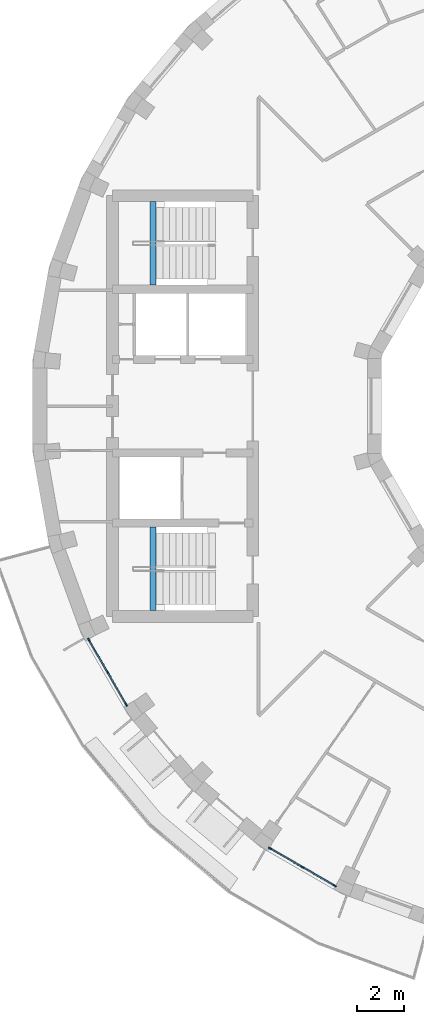
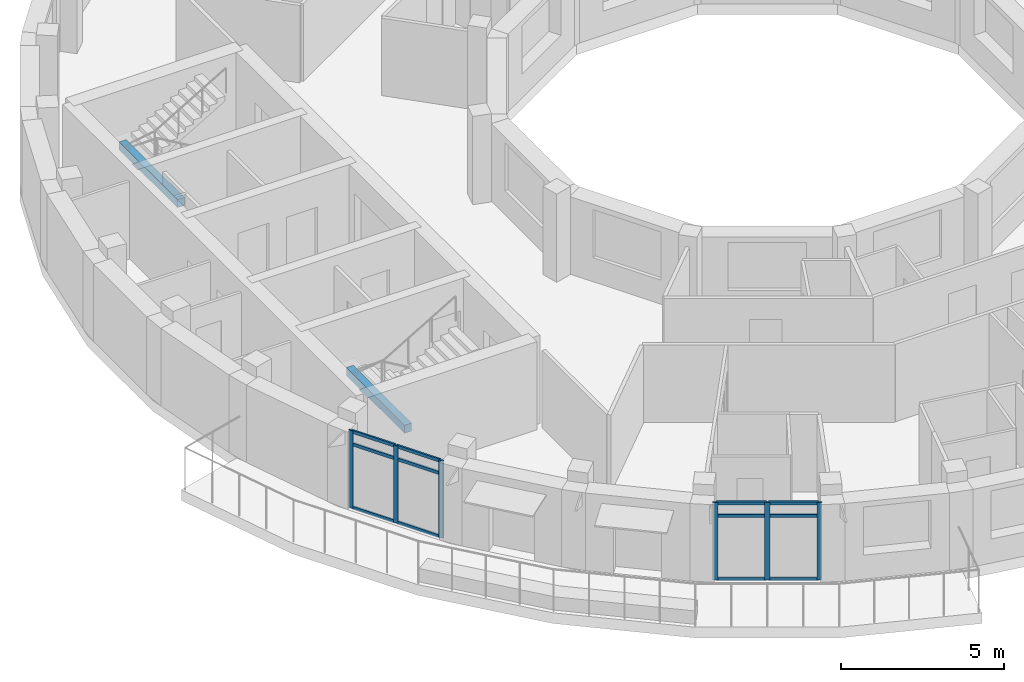
# One storey, part 2 of 12: 18 members, 2 beams, 2 elements without a shape of their own.
"""IFC4 building model written with IfcOpenShell, lengths in metres."""

import ifcopenshell
import ifcopenshell.guid

model = None  # the IFC model being written
_history = None  # IfcOwnerHistory: only IFC2X3 demands one
_inside = {}  # id of a spatial element -> (the spatial element, [elements in it])
_under = {}  # id of a project, library or spatial element -> (it, [spatial elements below it])
_declared = {}  # id of a project -> (the project, [libraries it declares])
_typed = {}  # id of a type object -> (the type object, [elements of that type])
_made_of = {}  # id of a material, layer set ... -> (it, [elements and type objects made of it])


def new_model(schema):
    """Start an empty IFC model of exactly this schema.

    Asked for "IFC4X3", IfcOpenShell would pick the latest addendum, in which some entities
    have other attributes; the version numbers below select the first issue.
    IFC2X3 requires an IfcOwnerHistory on every rooted entity: one is made here for all.
    """
    global model, _history
    if schema == "IFC4X3":
        model = ifcopenshell.file(schema_version=(4, 3, 0, 0))
    else:
        model = ifcopenshell.file(schema=schema)
    _inside.clear()
    _under.clear()
    _declared.clear()
    _typed.clear()
    _made_of.clear()
    _history = None
    if model.schema == "IFC2X3":
        org = make("IfcOrganization", Name="unknown")
        user = make(
            "IfcPersonAndOrganization",
            ThePerson=make("IfcPerson", FamilyName="unknown"),
            TheOrganization=org,
        )
        app = make(
            "IfcApplication",
            ApplicationDeveloper=org,
            Version="unknown",
            ApplicationFullName="unknown",
            ApplicationIdentifier="unknown",
        )
        _history = make(
            "IfcOwnerHistory",
            OwningUser=user,
            OwningApplication=app,
            ChangeAction="ADDED",
            CreationDate=0,
        )
    return model


def make(cls, **values):
    """One entity of the class cls with the attributes given. An attribute that is None is left unset."""
    return model.create_entity(
        cls, **{name: value for name, value in values.items() if value is not None}
    )


def rooted(cls, **values):
    """An entity with a GlobalId (a new one), such as an element, a storey or a relation."""
    return make(cls, GlobalId=ifcopenshell.guid.new(), OwnerHistory=_history, **values)


def si_unit(unit_type, name, prefix=None):
    """IfcSIUnit, for example si_unit("LENGTHUNIT", "METRE", prefix="MILLI")."""
    return make("IfcSIUnit", UnitType=unit_type, Prefix=prefix, Name=name)


def assignment(units):
    """IfcUnitAssignment: the units of a project."""
    return None if units is None else make("IfcUnitAssignment", Units=units)


def point(xyz):
    """IfcCartesianPoint."""
    return None if xyz is None else make("IfcCartesianPoint", Coordinates=xyz)


def direction(xyz):
    """IfcDirection."""
    return None if xyz is None else make("IfcDirection", DirectionRatios=xyz)


def frame(location, z_axis=None, x_axis=None):
    """IfcAxis2Placement3D, a coordinate frame: its origin and axes. An axis left out is left unset."""
    return make(
        "IfcAxis2Placement3D",
        Location=point(location),
        Axis=direction(z_axis),
        RefDirection=direction(x_axis),
    )


def frame_2d(location, x_axis=None):
    """IfcAxis2Placement2D, a coordinate frame in the plane: its origin and x axis."""
    return make(
        "IfcAxis2Placement2D", Location=point(location), RefDirection=direction(x_axis)
    )


def origin():
    """The frame at (0, 0, 0) with its axes left unset."""
    return frame((0.0, 0.0, 0.0))


def origin_2d():
    """The frame at (0, 0) in the plane with its x axis left unset."""
    return frame_2d((0.0, 0.0))


def place(relative_to, where):
    """IfcLocalPlacement: puts the frame where relative to a parent placement (None: the world)."""
    return make(
        "IfcLocalPlacement", PlacementRelTo=relative_to, RelativePlacement=where
    )


def context(
    kind, dimensions, precision=None, world=None, true_north=None, identifier=None
):
    """IfcGeometricRepresentationContext, for example the 3D "Model" context."""
    return make(
        "IfcGeometricRepresentationContext",
        ContextIdentifier=identifier,
        ContextType=kind,
        CoordinateSpaceDimension=dimensions,
        Precision=precision,
        WorldCoordinateSystem=world,
        TrueNorth=true_north,
    )


def subcontext(parent, identifier, kind, view, scale=None):
    """IfcGeometricRepresentationSubContext, for example "Body" below "Model"."""
    return make(
        "IfcGeometricRepresentationSubContext",
        ContextIdentifier=identifier,
        ContextType=kind,
        ParentContext=parent,
        TargetScale=scale,
        TargetView=view,
    )


def project(units=None, contexts=None):
    """IfcProject with its units and contexts."""
    return rooted(
        "IfcProject",
        Name="project",
        RepresentationContexts=contexts,
        UnitsInContext=assignment(units),
    )


def spatial(cls, under=None, at=None, **own):
    """A site, building, storey or space (cls), placed at a placement, below another one or the project."""
    s = rooted(cls, ObjectPlacement=at, **own)
    if under is not None:
        _under.setdefault(under.id(), (under, []))[1].append(s)
    return s


def profile(cls, at=None, kind="AREA", **sizes):
    """A parametric profile (cls). Its sizes go by their IFC names, for example OverallWidth=200.0."""
    return make(cls, ProfileType=kind, Position=at, **sizes)


def rectangle(**sizes):
    """IfcRectangleProfileDef."""
    return profile("IfcRectangleProfileDef", **sizes)


def extrude(swept, where, along, depth):
    """IfcExtrudedAreaSolid: the profile swept, set in the frame where, extruded along a direction by depth."""
    return make(
        "IfcExtrudedAreaSolid",
        SweptArea=swept,
        Position=where,
        ExtrudedDirection=direction(along),
        Depth=depth,
    )


def shape(context_of_items, identifier, shape_type, items):
    """IfcShapeRepresentation: the items that make up one representation, for example the "Body"."""
    return make(
        "IfcShapeRepresentation",
        ContextOfItems=context_of_items,
        RepresentationIdentifier=identifier,
        RepresentationType=shape_type,
        Items=items,
    )


def material(Name=None, Category=None):
    """IfcMaterial."""
    return make("IfcMaterial", Name=Name, Category=Category)


def layer(
    of_material, thickness, ventilated=None, Name=None, Category=None, Priority=None
):
    """IfcMaterialLayer: one layer of a wall or slab, of a material (None: an air gap)."""
    return make(
        "IfcMaterialLayer",
        Material=of_material,
        LayerThickness=thickness,
        IsVentilated=ventilated,
        Name=Name,
        Category=Category,
        Priority=Priority,
    )


def layer_set(layers, Name=None):
    """IfcMaterialLayerSet."""
    return make("IfcMaterialLayerSet", MaterialLayers=layers, LayerSetName=Name)


def material_profile(
    of_material, cross_section, Name=None, Category=None, Priority=None
):
    """IfcMaterialProfile: a cross section and its material."""
    return make(
        "IfcMaterialProfile",
        Name=Name,
        Material=of_material,
        Profile=cross_section,
        Priority=Priority,
        Category=Category,
    )


def profile_set(profiles, Name=None, composite=None):
    """IfcMaterialProfileSet."""
    return make(
        "IfcMaterialProfileSet",
        Name=Name,
        MaterialProfiles=profiles,
        CompositeProfile=composite,
    )


def made_of(thing, what):
    """Note that an element or type object is made of a material, layer set ...; save() writes the relation."""
    if what is not None:
        _made_of.setdefault(what.id(), (what, []))[1].append(thing)
    return thing


def type_object(cls, material=None, **own):
    """A type object (cls), such as IfcWallType, which elements share."""
    return made_of(rooted(cls, **own), material)


def element(
    cls,
    number,
    at=None,
    inside=None,
    cuts=None,
    type_object=None,
    material=None,
    context=None,
    identifier="Body",
    shape_type=None,
    held_by="IfcProductDefinitionShape",
    body=None,
    shapes=None,
    **own,
):
    """One element of the class cls, such as IfcWall. Its Tag is "e" and its number.

    at: its placement. inside: the storey or other place that contains it. cuts: it is an
    opening in that element (IfcRelVoidsElement). A single representation is given by context,
    identifier, shape_type and body (its items); several are given by shapes. held_by: the class
    of the entity that holds the representations. save() writes the other relations.
    """
    e = rooted(cls, Tag="e%d" % number, ObjectPlacement=at, **own)
    if body is not None:
        shapes = [shape(context, identifier, shape_type, body)]
    if shapes is not None:
        e.Representation = make(held_by, Representations=shapes)
    if inside is not None:
        _inside.setdefault(inside.id(), (inside, []))[1].append(e)
    if cuts is not None:
        rooted(
            "IfcRelVoidsElement", RelatingBuildingElement=cuts, RelatedOpeningElement=e
        )
    if type_object is not None:
        _typed.setdefault(type_object.id(), (type_object, []))[1].append(e)
    return made_of(e, material)


def aggregate(whole, parts):
    """IfcRelAggregates: a whole, such as a stair, and the parts it consists of."""
    return rooted("IfcRelAggregates", RelatingObject=whole, RelatedObjects=parts)


def save(model, path):
    """Write the relations noted so far, then the file.

    IfcRelAggregates (storeys below a building ...), IfcRelContainedInSpatialStructure (elements
    in a storey), IfcRelDefinesByType, IfcRelAssociatesMaterial and IfcRelDeclares: one each for
    every whole, place, type object, material and project.
    """
    for whole, parts in _under.values():
        aggregate(whole, parts)
    for where, things in _inside.values():
        rooted(
            "IfcRelContainedInSpatialStructure",
            RelatedElements=things,
            RelatingStructure=where,
        )
    for kind, things in _typed.values():
        rooted("IfcRelDefinesByType", RelatedObjects=things, RelatingType=kind)
    for what, things in _made_of.values():
        rooted("IfcRelAssociatesMaterial", RelatedObjects=things, RelatingMaterial=what)
    for by, libraries in _declared.values():
        rooted("IfcRelDeclares", RelatingContext=by, RelatedDefinitions=libraries)
    model.write(path)


model = new_model("IFC4")

# Units and contexts
model_context = context("Model", 3, precision=1e-05, world=origin(), true_north=direction((0.0, 1.0)))
body_context = subcontext(model_context, "Body", "Model", "MODEL_VIEW")
ifc_project = project(units=[si_unit("LENGTHUNIT", "METRE"), si_unit("AREAUNIT", "SQUARE_METRE"), si_unit("VOLUMEUNIT", "CUBIC_METRE"), si_unit("PLANEANGLEUNIT", "RADIAN"), si_unit("MASSUNIT", "GRAM", prefix="KILO")], contexts=[model_context])

# Site, building, storey
site_placement = place(None, origin())
site = spatial("IfcSite", under=ifc_project, at=site_placement, CompositionType="ELEMENT")
building_placement = place(site_placement, origin())
building = spatial("IfcBuilding", under=site, at=building_placement, Name="Saqina Gate Tower", CompositionType="ELEMENT")
storey_placement = place(building_placement, frame((0.0, 0.0, 262.699951171875)))
storey = spatial("IfcBuildingStorey", under=building, at=storey_placement, Name="L75", CompositionType="ELEMENT", Elevation=262.699951171875)

# Curtain wall, members
ifc_material_1 = material(Name="Aluminium glazing", Category="aluminium")
ifc_layer = layer(ifc_material_1, 0.159912109375)
ifc_layer_set = layer_set([ifc_layer], Name="CWT-4")
curtain_wall_type = type_object("IfcCurtainWallType", Name="CWT-4", PredefinedType="NOTDEFINED", material=ifc_layer_set)
curtain_wall_1_placement = place(storey_placement, origin())
curtain_wall_1 = element("IfcCurtainWall", 1, at=curtain_wall_1_placement, inside=storey, type_object=curtain_wall_type, Name="Terrace lounge glazing facet 21", PredefinedType="NOTDEFINED")
ifc_material_2 = material(Name="Aluminium", Category="aluminium")
ifc_material_profile_1 = material_profile(ifc_material_2, rectangle(XDim=0.06005859375, YDim=0.159912109375, at=origin_2d()), Name="Aluminium 60x160")
ifc_profile_set_1 = profile_set([ifc_material_profile_1], Name="Aluminium")
member_type_1 = type_object("IfcMemberType", Name="CWT-4M", PredefinedType="MULLION", material=ifc_profile_set_1)
member_1_placement = place(storey_placement, frame((-20.5107421875, -9.999267578125, 0.0), z_axis=(0.0, 0.0, 1.0), x_axis=(0.8660355365, 0.499982449212, 0.0)))
member_1 = element("IfcMember", 2, at=member_1_placement, type_object=member_type_1, Name="CW4-21 mullion 1", PredefinedType="MULLION", context=body_context, shape_type="SweptSolid", body=[
    extrude(rectangle(XDim=0.06005859375, YDim=0.159912109375, at=origin_2d()), origin(), (0.0, 0.0, 1.0), 2.900146484375),
])
member_2_placement = place(storey_placement, frame((-19.712890625, -11.38134765625, 0.0), z_axis=(0.0, 0.0, 1.0), x_axis=(0.8660355365, 0.499982449212, 0.0)))
member_2 = element("IfcMember", 3, at=member_2_placement, type_object=member_type_1, Name="CW4-21 mullion 2", PredefinedType="MULLION", context=body_context, shape_type="SweptSolid", body=[
    extrude(rectangle(XDim=0.06005859375, YDim=0.159912109375, at=origin_2d()), origin(), (0.0, 0.0, 1.0), 2.900146484375),
])
member_3_placement = place(storey_placement, frame((-18.9150390625, -12.763427734375, 0.0), z_axis=(0.0, 0.0, 1.0), x_axis=(0.8660355365, 0.499982449212, 0.0)))
member_3 = element("IfcMember", 4, at=member_3_placement, type_object=member_type_1, Name="CW4-21 mullion 3", PredefinedType="MULLION", context=body_context, shape_type="SweptSolid", body=[
    extrude(rectangle(XDim=0.06005859375, YDim=0.159912109375, at=origin_2d()), origin(), (0.0, 0.0, 1.0), 2.900146484375),
])

curtain_wall_2_placement = place(storey_placement, origin())
curtain_wall_2 = element("IfcCurtainWall", 5, at=curtain_wall_2_placement, inside=storey, type_object=curtain_wall_type, Name="Terrace lounge glazing facet 24", PredefinedType="NOTDEFINED")
member_4_placement = place(storey_placement, frame((-12.763427734375, -18.9150390625, 0.0), z_axis=(0.0, 0.0, 1.0), x_axis=(0.499982449212, 0.8660355365, 0.0)))
member_4 = element("IfcMember", 6, at=member_4_placement, type_object=member_type_1, Name="CW4-24 mullion 1", PredefinedType="MULLION", context=body_context, shape_type="SweptSolid", body=[
    extrude(rectangle(XDim=0.06005859375, YDim=0.159912109375, at=origin_2d()), origin(), (0.0, 0.0, 1.0), 2.900146484375),
])
member_5_placement = place(storey_placement, frame((-11.38134765625, -19.712890625, 0.0), z_axis=(0.0, 0.0, 1.0), x_axis=(0.499982449212, 0.8660355365, 0.0)))
member_5 = element("IfcMember", 7, at=member_5_placement, type_object=member_type_1, Name="CW4-24 mullion 2", PredefinedType="MULLION", context=body_context, shape_type="SweptSolid", body=[
    extrude(rectangle(XDim=0.06005859375, YDim=0.159912109375, at=origin_2d()), origin(), (0.0, 0.0, 1.0), 2.900146484375),
])
member_6_placement = place(storey_placement, frame((-9.999267578125, -20.5107421875, 0.0), z_axis=(0.0, 0.0, 1.0), x_axis=(0.499982449212, 0.8660355365, 0.0)))
member_6 = element("IfcMember", 8, at=member_6_placement, type_object=member_type_1, Name="CW4-24 mullion 3", PredefinedType="MULLION", context=body_context, shape_type="SweptSolid", body=[
    extrude(rectangle(XDim=0.06005859375, YDim=0.159912109375, at=origin_2d()), origin(), (0.0, 0.0, 1.0), 2.900146484375),
])

# Member
ifc_material_3 = material(Name="Aluminium", Category="aluminium")
ifc_material_profile_2 = material_profile(ifc_material_3, rectangle(XDim=0.06005859375, YDim=0.1201171875, at=origin_2d()), Name="Aluminium 60x120")
ifc_profile_set_2 = profile_set([ifc_material_profile_2], Name="Aluminium")
member_type_2 = type_object("IfcMemberType", Name="CWT-4T", PredefinedType="USERDEFINED", material=ifc_profile_set_2)
member_7_placement = place(storey_placement, frame((-20.495849609375, -10.025146484375, 0.030029296875), z_axis=(0.500071019227, -0.865984396932, 0.0), x_axis=(0.865984396932, 0.500071019227, 0.0)))
member_7 = element("IfcMember", 9, at=member_7_placement, type_object=member_type_2, Name="CW4-21 transom 1.1", ObjectType="TRANSOM", PredefinedType="USERDEFINED", context=body_context, shape_type="SweptSolid", body=[
    extrude(rectangle(XDim=0.06005859375, YDim=0.1201171875, at=origin_2d()), origin(), (0.0, 0.0, 1.0), 1.535888671875),
])

member_8_placement = place(storey_placement, frame((-20.495849609375, -10.025146484375, 2.400146484375), z_axis=(0.500071019227, -0.865984396932, 0.0), x_axis=(0.865984396932, 0.500071019227, 0.0)))
member_8 = element("IfcMember", 10, at=member_8_placement, type_object=member_type_2, Name="CW4-21 transom 1.2", ObjectType="TRANSOM", PredefinedType="USERDEFINED", context=body_context, shape_type="SweptSolid", body=[
    extrude(rectangle(XDim=0.06005859375, YDim=0.1201171875, at=origin_2d()), origin(), (0.0, 0.0, 1.0), 1.535888671875),
])

member_9_placement = place(storey_placement, frame((-20.495849609375, -10.025146484375, 2.8701171875), z_axis=(0.500071019227, -0.865984396932, 0.0), x_axis=(0.865984396932, 0.500071019227, 0.0)))
member_9 = element("IfcMember", 11, at=member_9_placement, type_object=member_type_2, Name="CW4-21 transom 1.3", ObjectType="TRANSOM", PredefinedType="USERDEFINED", context=body_context, shape_type="SweptSolid", body=[
    extrude(rectangle(XDim=0.06005859375, YDim=0.1201171875, at=origin_2d()), origin(), (0.0, 0.0, 1.0), 1.535888671875),
])

member_10_placement = place(storey_placement, frame((-19.697998046875, -11.4072265625, 0.030029296875), z_axis=(0.500071019227, -0.865984396932, 0.0), x_axis=(0.865984396932, 0.500071019227, 0.0)))
member_10 = element("IfcMember", 12, at=member_10_placement, type_object=member_type_2, Name="CW4-21 transom 2.1", ObjectType="TRANSOM", PredefinedType="USERDEFINED", context=body_context, shape_type="SweptSolid", body=[
    extrude(rectangle(XDim=0.06005859375, YDim=0.1201171875, at=origin_2d()), origin(), (0.0, 0.0, 1.0), 1.535888671875),
])

member_11_placement = place(storey_placement, frame((-19.697998046875, -11.4072265625, 2.400146484375), z_axis=(0.500071019227, -0.865984396932, 0.0), x_axis=(0.865984396932, 0.500071019227, 0.0)))
member_11 = element("IfcMember", 13, at=member_11_placement, type_object=member_type_2, Name="CW4-21 transom 2.2", ObjectType="TRANSOM", PredefinedType="USERDEFINED", context=body_context, shape_type="SweptSolid", body=[
    extrude(rectangle(XDim=0.06005859375, YDim=0.1201171875, at=origin_2d()), origin(), (0.0, 0.0, 1.0), 1.535888671875),
])

member_12_placement = place(storey_placement, frame((-19.697998046875, -11.4072265625, 2.8701171875), z_axis=(0.500071019227, -0.865984396932, 0.0), x_axis=(0.865984396932, 0.500071019227, 0.0)))
member_12 = element("IfcMember", 14, at=member_12_placement, type_object=member_type_2, Name="CW4-21 transom 2.3", ObjectType="TRANSOM", PredefinedType="USERDEFINED", context=body_context, shape_type="SweptSolid", body=[
    extrude(rectangle(XDim=0.06005859375, YDim=0.1201171875, at=origin_2d()), origin(), (0.0, 0.0, 1.0), 1.535888671875),
])

aggregate(curtain_wall_1, [member_1, member_2, member_3, member_7, member_8, member_9, member_10, member_11, member_12])

member_13_placement = place(storey_placement, frame((-12.7373046875, -18.929931640625, 0.030029296875), z_axis=(0.865984396932, -0.500071019227, 0.0), x_axis=(0.500071019227, 0.865984396932, 0.0)))
member_13 = element("IfcMember", 15, at=member_13_placement, type_object=member_type_2, Name="CW4-24 transom 1.1", ObjectType="TRANSOM", PredefinedType="USERDEFINED", context=body_context, shape_type="SweptSolid", body=[
    extrude(rectangle(XDim=0.06005859375, YDim=0.1201171875, at=origin_2d()), origin(), (0.0, 0.0, 1.0), 1.535888671875),
])

member_14_placement = place(storey_placement, frame((-12.7373046875, -18.929931640625, 2.400146484375), z_axis=(0.865984396932, -0.500071019227, 0.0), x_axis=(0.500071019227, 0.865984396932, 0.0)))
member_14 = element("IfcMember", 16, at=member_14_placement, type_object=member_type_2, Name="CW4-24 transom 1.2", ObjectType="TRANSOM", PredefinedType="USERDEFINED", context=body_context, shape_type="SweptSolid", body=[
    extrude(rectangle(XDim=0.06005859375, YDim=0.1201171875, at=origin_2d()), origin(), (0.0, 0.0, 1.0), 1.535888671875),
])

member_15_placement = place(storey_placement, frame((-12.7373046875, -18.929931640625, 2.8701171875), z_axis=(0.865984396932, -0.500071019227, 0.0), x_axis=(0.500071019227, 0.865984396932, 0.0)))
member_15 = element("IfcMember", 17, at=member_15_placement, type_object=member_type_2, Name="CW4-24 transom 1.3", ObjectType="TRANSOM", PredefinedType="USERDEFINED", context=body_context, shape_type="SweptSolid", body=[
    extrude(rectangle(XDim=0.06005859375, YDim=0.1201171875, at=origin_2d()), origin(), (0.0, 0.0, 1.0), 1.535888671875),
])

member_16_placement = place(storey_placement, frame((-11.355224609375, -19.727783203125, 0.030029296875), z_axis=(0.865984396932, -0.500071019227, 0.0), x_axis=(0.500071019227, 0.865984396932, 0.0)))
member_16 = element("IfcMember", 18, at=member_16_placement, type_object=member_type_2, Name="CW4-24 transom 2.1", ObjectType="TRANSOM", PredefinedType="USERDEFINED", context=body_context, shape_type="SweptSolid", body=[
    extrude(rectangle(XDim=0.06005859375, YDim=0.1201171875, at=origin_2d()), origin(), (0.0, 0.0, 1.0), 1.535888671875),
])

member_17_placement = place(storey_placement, frame((-11.355224609375, -19.727783203125, 2.400146484375), z_axis=(0.865984396932, -0.500071019227, 0.0), x_axis=(0.500071019227, 0.865984396932, 0.0)))
member_17 = element("IfcMember", 19, at=member_17_placement, type_object=member_type_2, Name="CW4-24 transom 2.2", ObjectType="TRANSOM", PredefinedType="USERDEFINED", context=body_context, shape_type="SweptSolid", body=[
    extrude(rectangle(XDim=0.06005859375, YDim=0.1201171875, at=origin_2d()), origin(), (0.0, 0.0, 1.0), 1.535888671875),
])

member_18_placement = place(storey_placement, frame((-11.355224609375, -19.727783203125, 2.8701171875), z_axis=(0.865984396932, -0.500071019227, 0.0), x_axis=(0.500071019227, 0.865984396932, 0.0)))
member_18 = element("IfcMember", 20, at=member_18_placement, type_object=member_type_2, Name="CW4-24 transom 2.3", ObjectType="TRANSOM", PredefinedType="USERDEFINED", context=body_context, shape_type="SweptSolid", body=[
    extrude(rectangle(XDim=0.06005859375, YDim=0.1201171875, at=origin_2d()), origin(), (0.0, 0.0, 1.0), 1.535888671875),
])

aggregate(curtain_wall_2, [member_4, member_5, member_6, member_13, member_14, member_15, member_16, member_17, member_18])

# Beams
ifc_material_4 = material(Name="Concrete C40/50", Category="concrete")
ifc_material_profile_3 = material_profile(ifc_material_4, rectangle(XDim=0.25, YDim=0.300048828125, at=origin_2d()), Name="STAIR LANDING BEAM")
ifc_profile_set_3 = profile_set([ifc_material_profile_3], Name="Concrete C40/50")
beam_type = type_object("IfcBeamType", Name="STAIR LANDING BEAM", PredefinedType="BEAM", material=ifc_profile_set_3)
for number, where, z_axis, x_axis, name in (
    (21, (-17.77001953125, 5.175048828125, 1.25), (0.0, 1.0, 0.0), (-1.0, 0.0, 0.0), "EXIT STAIR 3 LANDING BEAM"),
    (22, (-17.77001953125, -8.75, 1.25), (0.0, 1.0, 0.0), (-1.0, 0.0, 0.0), "EXIT STAIR 4 LANDING BEAM"),
):
    element("IfcBeam", number, at=place(storey_placement, frame(where, z_axis=z_axis, x_axis=x_axis)), inside=storey, type_object=beam_type, Name=name, PredefinedType="BEAM", context=body_context, shape_type="SweptSolid", body=[
        extrude(rectangle(XDim=0.25, YDim=0.300048828125, at=origin_2d()), origin(), (0.0, 0.0, 1.0), 3.574951171875),
    ])

save(model, "model.ifc")
